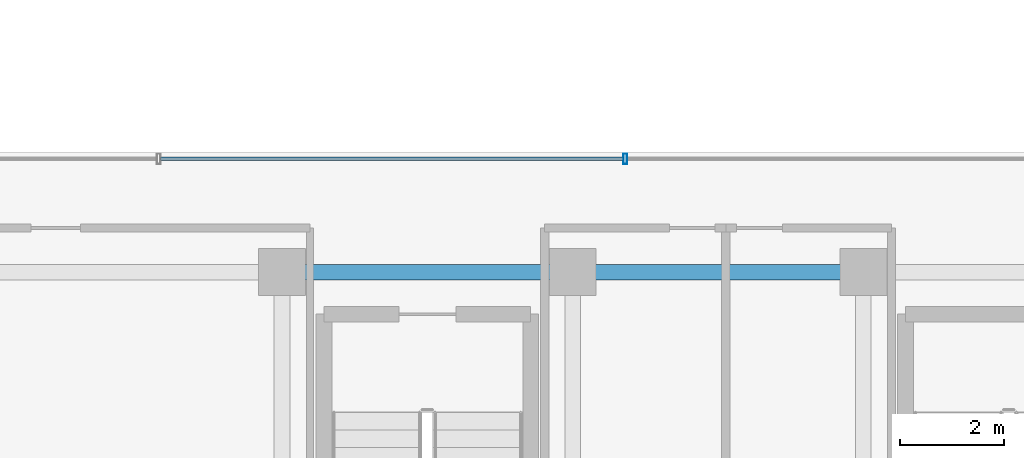
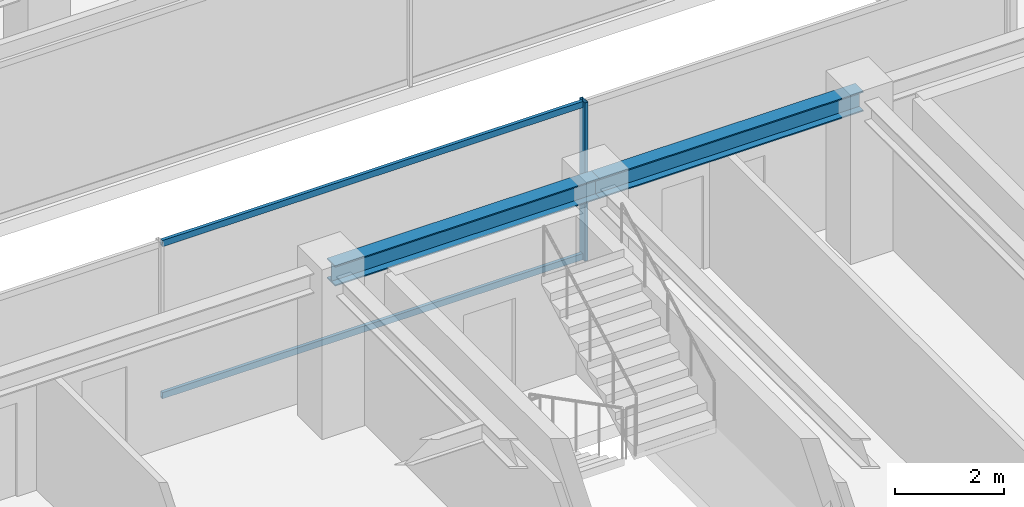
# One storey, part 11 of 37: 3 members, 2 beams, 1 element without a shape of its own.
"""IFC4 building model written with IfcOpenShell, lengths in metres."""

from ifc_helpers import new_model, si_unit, direction, frame, origin, origin_2d, place, context, subcontext, project, spatial, hollow_rectangle, i_section, extrude, source, transform, mapped, material, material_profile, profile_set, type_object, element, aggregate, save


model = new_model("IFC4")

# Units and contexts
model_context = context("Model", 3, precision=1e-05, world=origin(), true_north=direction((0.0, 1.0)))
body_context = subcontext(model_context, "Body", "Model", "MODEL_VIEW")
ifc_project = project(units=[si_unit("LENGTHUNIT", "METRE"), si_unit("AREAUNIT", "SQUARE_METRE"), si_unit("VOLUMEUNIT", "CUBIC_METRE"), si_unit("PLANEANGLEUNIT", "RADIAN"), si_unit("MASSUNIT", "GRAM", prefix="KILO")], contexts=[model_context])

# Site, building, storey
site_placement = place(None, origin())
site = spatial("IfcSite", under=ifc_project, at=site_placement, CompositionType="ELEMENT")
building_placement = place(site_placement, origin())
building = spatial("IfcBuilding", under=site, at=building_placement, Name="Nahalor Promenade Grand Hotel", CompositionType="ELEMENT")
storey_placement = place(building_placement, frame((0.0, 0.0, 308.050048828125)))
storey = spatial("IfcBuildingStorey", under=building, at=storey_placement, Name="L79", CompositionType="ELEMENT", Elevation=308.050048828125)

# Beams
ifc_material_1 = material(Name="Steel S355JR", Category="steel")
ifc_material_profile_1 = material_profile(ifc_material_1, i_section(OverallWidth=0.3, OverallDepth=0.45, WebThickness=0.014, FlangeThickness=0.026, at=origin_2d()), Name="HEB 450")
ifc_profile_set_1 = profile_set([ifc_material_profile_1], Name="Steel S355JR")
beam_type = type_object("IfcBeamType", Name="Beam-Girder-HEB450", PredefinedType="BEAM", material=ifc_profile_set_1)
shared_shape_1 = source(origin(), body_context, "Body", "SweptSolid", [
    extrude(i_section(OverallWidth=0.3, OverallDepth=0.45, WebThickness=0.014, FlangeThickness=0.026, at=origin_2d()), origin(), (0.0, 0.0, 1.0), 5.599853515625),
])
beam_1_placement = place(storey_placement, frame((-8.39990234375, -5.39990234375, 3.324951171875), z_axis=(1.0, 0.0, 0.0), x_axis=(0.0, 1.0, 0.0)))
element("IfcBeam", 1, at=beam_1_placement, inside=storey, type_object=beam_type, Name="BM-L79-GX-1-2", PredefinedType="BEAM", context=body_context, shape_type="MappedRepresentation", body=[
    mapped(shared_shape_1, transform((0.0, 0.0, 0.0), scale=1.0)),
])
shared_shape_2 = source(origin(), body_context, "Body", "SweptSolid", [
    extrude(i_section(OverallWidth=0.3, OverallDepth=0.45, WebThickness=0.014, FlangeThickness=0.026, at=origin_2d()), origin(), (0.0, 0.0, 1.0), 5.60009765625),
])
beam_2_placement = place(storey_placement, frame((-2.800048828125, -5.39990234375, 3.324951171875), z_axis=(1.0, 0.0, 0.0), x_axis=(0.0, 1.0, 0.0)))
element("IfcBeam", 2, at=beam_2_placement, inside=storey, type_object=beam_type, Name="BM-L79-GX-1-3", PredefinedType="BEAM", context=body_context, shape_type="MappedRepresentation", body=[
    mapped(shared_shape_2, transform((0.0, 0.0, 0.0), scale=1.0)),
])

# Curtain wall, members
ifc_material_2 = material(Name="Anodised Bronze Aluminium EN AW-6063 T6", Category="aluminium")
curtain_wall_type = type_object("IfcCurtainWallType", Name="CW3 Elliptical-Void Collar Unitised Curtain Wall", PredefinedType="USERDEFINED", material=ifc_material_2)
curtain_wall_placement = place(storey_placement, origin())
curtain_wall = element("IfcCurtainWall", 3, at=curtain_wall_placement, inside=storey, type_object=curtain_wall_type, Name="L79 Curtain Wall CW-L79-VOID-WS1", ObjectType="UNITISED_CURTAIN_WALL", PredefinedType="USERDEFINED")
ifc_material_profile_2 = material_profile(ifc_material_2, hollow_rectangle(XDim=0.07, YDim=0.14, WallThickness=0.004, at=origin_2d()), Name="CWT 70x140x4")
ifc_profile_set_2 = profile_set([ifc_material_profile_2], Name="Anodised Bronze Aluminium EN AW-6063 T6")
member_type_1 = type_object("IfcMemberType", Name="CWT3 Void Collar Transom 70x140", PredefinedType="USERDEFINED", material=ifc_profile_set_2)
shared_shape_3 = source(origin(), body_context, "Body", "SweptSolid", [
    extrude(hollow_rectangle(XDim=0.07, YDim=0.14, WallThickness=0.004, at=origin_2d()), origin(), (0.0, 0.0, 1.0), 8.91650390625),
])
member_1_placement = place(storey_placement, frame((-10.73828125, -3.219970703125, 0.070068359375), z_axis=(1.0, 0.0, 0.0), x_axis=(0.0, 1.0, 0.0)))
member_1 = element("IfcMember", 4, at=member_1_placement, type_object=member_type_1, Name="CW-L79-VOID-WS1 Transom 1-0", ObjectType="TRANSOM", PredefinedType="USERDEFINED", context=body_context, shape_type="MappedRepresentation", body=[
    mapped(shared_shape_3, transform((0.0, 0.0, 0.0), scale=1.0)),
])
member_2_placement = place(storey_placement, frame((-10.73828125, -3.219970703125, 3.47998046875), z_axis=(1.0, 0.0, 0.0), x_axis=(0.0, 1.0, 0.0)))
member_2 = element("IfcMember", 5, at=member_2_placement, type_object=member_type_1, Name="CW-L79-VOID-WS1 Transom 1-1", ObjectType="TRANSOM", PredefinedType="USERDEFINED", context=body_context, shape_type="MappedRepresentation", body=[
    mapped(shared_shape_3, transform((0.0, 0.0, 0.0), scale=1.0)),
])
ifc_material_profile_3 = material_profile(ifc_material_2, hollow_rectangle(XDim=0.07, YDim=0.2, WallThickness=0.005, at=origin_2d()), Name="CWM 70x200x5")
ifc_profile_set_3 = profile_set([ifc_material_profile_3], Name="Anodised Bronze Aluminium EN AW-6063 T6")
member_type_2 = type_object("IfcMemberType", Name="CWM3 Void Collar Mullion 70x200", PredefinedType="MULLION", material=ifc_profile_set_3)
shared_shape_4 = source(origin(), body_context, "Body", "SweptSolid", [
    extrude(hollow_rectangle(XDim=0.07, YDim=0.2, WallThickness=0.005, at=origin_2d()), origin(), (0.0, 0.0, 1.0), 3.550048828125),
])
member_3_placement = place(storey_placement, frame((-1.78662109375, -3.219970703125, 0.0), z_axis=(0.0, 0.0, 1.0), x_axis=(1.0, 0.0, 0.0)))
member_3 = element("IfcMember", 6, at=member_3_placement, type_object=member_type_2, Name="CW-L79-VOID-WS1 Mullion 2", PredefinedType="MULLION", context=body_context, shape_type="MappedRepresentation", body=[
    mapped(shared_shape_4, transform((0.0, 0.0, 0.0), scale=1.0)),
])
aggregate(curtain_wall, [member_3, member_1, member_2])

save(model, "model.ifc")
